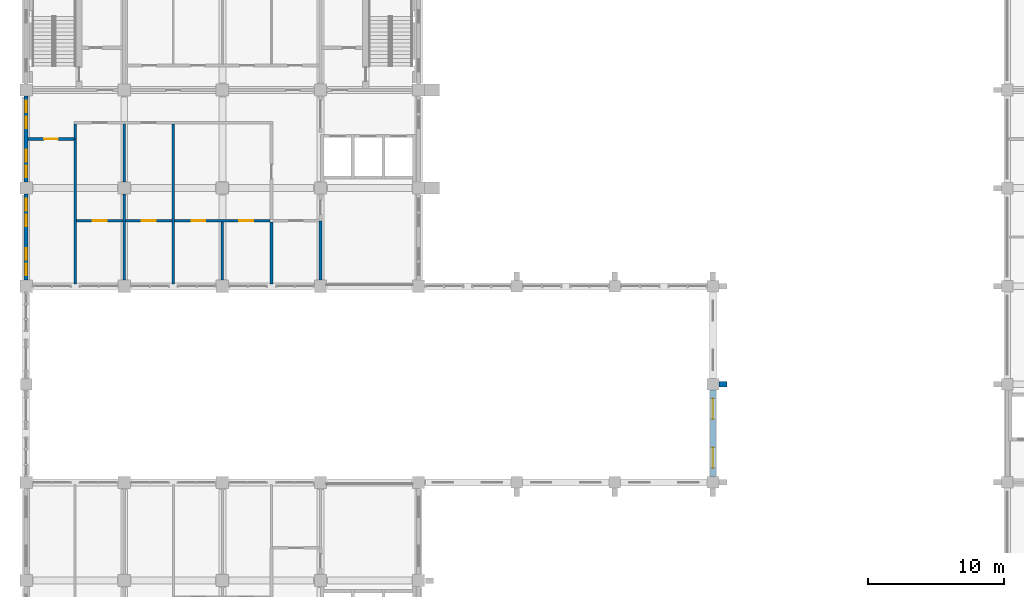
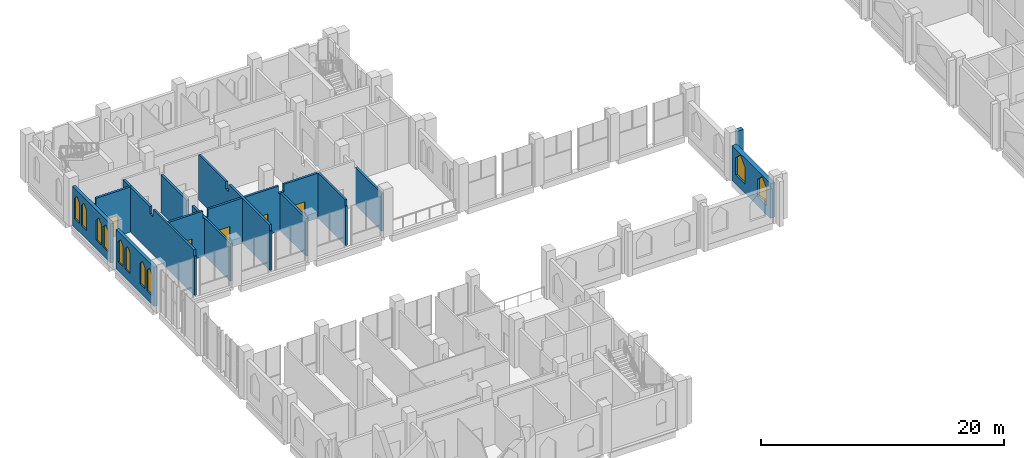
# One storey, part 30 of 40: 16 walls, 10 windows, 5 doors, 15 openings.
"""IFC4 building model written with IfcOpenShell, lengths in metres."""

import ifcopenshell
import ifcopenshell.guid

model = None  # the IFC model being written
_history = None  # IfcOwnerHistory: only IFC2X3 demands one
_inside = {}  # id of a spatial element -> (the spatial element, [elements in it])
_under = {}  # id of a project, library or spatial element -> (it, [spatial elements below it])
_declared = {}  # id of a project -> (the project, [libraries it declares])
_typed = {}  # id of a type object -> (the type object, [elements of that type])
_made_of = {}  # id of a material, layer set ... -> (it, [elements and type objects made of it])


def new_model(schema):
    """Start an empty IFC model of exactly this schema.

    Asked for "IFC4X3", IfcOpenShell would pick the latest addendum, in which some entities
    have other attributes; the version numbers below select the first issue.
    IFC2X3 requires an IfcOwnerHistory on every rooted entity: one is made here for all.
    """
    global model, _history
    if schema == "IFC4X3":
        model = ifcopenshell.file(schema_version=(4, 3, 0, 0))
    else:
        model = ifcopenshell.file(schema=schema)
    _inside.clear()
    _under.clear()
    _declared.clear()
    _typed.clear()
    _made_of.clear()
    _history = None
    if model.schema == "IFC2X3":
        org = make("IfcOrganization", Name="unknown")
        user = make(
            "IfcPersonAndOrganization",
            ThePerson=make("IfcPerson", FamilyName="unknown"),
            TheOrganization=org,
        )
        app = make(
            "IfcApplication",
            ApplicationDeveloper=org,
            Version="unknown",
            ApplicationFullName="unknown",
            ApplicationIdentifier="unknown",
        )
        _history = make(
            "IfcOwnerHistory",
            OwningUser=user,
            OwningApplication=app,
            ChangeAction="ADDED",
            CreationDate=0,
        )
    return model


def make(cls, **values):
    """One entity of the class cls with the attributes given. An attribute that is None is left unset."""
    return model.create_entity(
        cls, **{name: value for name, value in values.items() if value is not None}
    )


def rooted(cls, **values):
    """An entity with a GlobalId (a new one), such as an element, a storey or a relation."""
    return make(cls, GlobalId=ifcopenshell.guid.new(), OwnerHistory=_history, **values)


def si_unit(unit_type, name, prefix=None):
    """IfcSIUnit, for example si_unit("LENGTHUNIT", "METRE", prefix="MILLI")."""
    return make("IfcSIUnit", UnitType=unit_type, Prefix=prefix, Name=name)


def assignment(units):
    """IfcUnitAssignment: the units of a project."""
    return None if units is None else make("IfcUnitAssignment", Units=units)


def point(xyz):
    """IfcCartesianPoint."""
    return None if xyz is None else make("IfcCartesianPoint", Coordinates=xyz)


def direction(xyz):
    """IfcDirection."""
    return None if xyz is None else make("IfcDirection", DirectionRatios=xyz)


def frame(location, z_axis=None, x_axis=None):
    """IfcAxis2Placement3D, a coordinate frame: its origin and axes. An axis left out is left unset."""
    return make(
        "IfcAxis2Placement3D",
        Location=point(location),
        Axis=direction(z_axis),
        RefDirection=direction(x_axis),
    )


def frame_2d(location, x_axis=None):
    """IfcAxis2Placement2D, a coordinate frame in the plane: its origin and x axis."""
    return make(
        "IfcAxis2Placement2D", Location=point(location), RefDirection=direction(x_axis)
    )


def origin():
    """The frame at (0, 0, 0) with its axes left unset."""
    return frame((0.0, 0.0, 0.0))


def place(relative_to, where):
    """IfcLocalPlacement: puts the frame where relative to a parent placement (None: the world)."""
    return make(
        "IfcLocalPlacement", PlacementRelTo=relative_to, RelativePlacement=where
    )


def context(
    kind, dimensions, precision=None, world=None, true_north=None, identifier=None
):
    """IfcGeometricRepresentationContext, for example the 3D "Model" context."""
    return make(
        "IfcGeometricRepresentationContext",
        ContextIdentifier=identifier,
        ContextType=kind,
        CoordinateSpaceDimension=dimensions,
        Precision=precision,
        WorldCoordinateSystem=world,
        TrueNorth=true_north,
    )


def subcontext(parent, identifier, kind, view, scale=None):
    """IfcGeometricRepresentationSubContext, for example "Body" below "Model"."""
    return make(
        "IfcGeometricRepresentationSubContext",
        ContextIdentifier=identifier,
        ContextType=kind,
        ParentContext=parent,
        TargetScale=scale,
        TargetView=view,
    )


def project(units=None, contexts=None):
    """IfcProject with its units and contexts."""
    return rooted(
        "IfcProject",
        Name="project",
        RepresentationContexts=contexts,
        UnitsInContext=assignment(units),
    )


def spatial(cls, under=None, at=None, **own):
    """A site, building, storey or space (cls), placed at a placement, below another one or the project."""
    s = rooted(cls, ObjectPlacement=at, **own)
    if under is not None:
        _under.setdefault(under.id(), (under, []))[1].append(s)
    return s


def polyline(points):
    """IfcPolyline through the points."""
    return make("IfcPolyline", Points=[point(p) for p in points])


def profile(cls, at=None, kind="AREA", **sizes):
    """A parametric profile (cls). Its sizes go by their IFC names, for example OverallWidth=200.0."""
    return make(cls, ProfileType=kind, Position=at, **sizes)


def rectangle(**sizes):
    """IfcRectangleProfileDef."""
    return profile("IfcRectangleProfileDef", **sizes)


def outline(outer, holes=None, kind="AREA"):
    """IfcArbitraryClosedProfileDef: a profile drawn as a closed curve; with holes, ...WithVoids."""
    if holes is None:
        return make("IfcArbitraryClosedProfileDef", ProfileType=kind, OuterCurve=outer)
    return make(
        "IfcArbitraryProfileDefWithVoids",
        ProfileType=kind,
        OuterCurve=outer,
        InnerCurves=holes,
    )


def extrude(swept, where, along, depth):
    """IfcExtrudedAreaSolid: the profile swept, set in the frame where, extruded along a direction by depth."""
    return make(
        "IfcExtrudedAreaSolid",
        SweptArea=swept,
        Position=where,
        ExtrudedDirection=direction(along),
        Depth=depth,
    )


def shape(context_of_items, identifier, shape_type, items):
    """IfcShapeRepresentation: the items that make up one representation, for example the "Body"."""
    return make(
        "IfcShapeRepresentation",
        ContextOfItems=context_of_items,
        RepresentationIdentifier=identifier,
        RepresentationType=shape_type,
        Items=items,
    )


def material(Name=None, Category=None):
    """IfcMaterial."""
    return make("IfcMaterial", Name=Name, Category=Category)


def layer(
    of_material, thickness, ventilated=None, Name=None, Category=None, Priority=None
):
    """IfcMaterialLayer: one layer of a wall or slab, of a material (None: an air gap)."""
    return make(
        "IfcMaterialLayer",
        Material=of_material,
        LayerThickness=thickness,
        IsVentilated=ventilated,
        Name=Name,
        Category=Category,
        Priority=Priority,
    )


def layer_set(layers, Name=None):
    """IfcMaterialLayerSet."""
    return make("IfcMaterialLayerSet", MaterialLayers=layers, LayerSetName=Name)


def made_of(thing, what):
    """Note that an element or type object is made of a material, layer set ...; save() writes the relation."""
    if what is not None:
        _made_of.setdefault(what.id(), (what, []))[1].append(thing)
    return thing


def type_object(cls, material=None, **own):
    """A type object (cls), such as IfcWallType, which elements share."""
    return made_of(rooted(cls, **own), material)


def element(
    cls,
    number,
    at=None,
    inside=None,
    cuts=None,
    type_object=None,
    material=None,
    context=None,
    identifier="Body",
    shape_type=None,
    held_by="IfcProductDefinitionShape",
    body=None,
    shapes=None,
    **own,
):
    """One element of the class cls, such as IfcWall. Its Tag is "e" and its number.

    at: its placement. inside: the storey or other place that contains it. cuts: it is an
    opening in that element (IfcRelVoidsElement). A single representation is given by context,
    identifier, shape_type and body (its items); several are given by shapes. held_by: the class
    of the entity that holds the representations. save() writes the other relations.
    """
    e = rooted(cls, Tag="e%d" % number, ObjectPlacement=at, **own)
    if body is not None:
        shapes = [shape(context, identifier, shape_type, body)]
    if shapes is not None:
        e.Representation = make(held_by, Representations=shapes)
    if inside is not None:
        _inside.setdefault(inside.id(), (inside, []))[1].append(e)
    if cuts is not None:
        rooted(
            "IfcRelVoidsElement", RelatingBuildingElement=cuts, RelatedOpeningElement=e
        )
    if type_object is not None:
        _typed.setdefault(type_object.id(), (type_object, []))[1].append(e)
    return made_of(e, material)


def fill(opening, filler):
    """IfcRelFillsElement: the door or window that sits in an opening."""
    return rooted(
        "IfcRelFillsElement",
        RelatingOpeningElement=opening,
        RelatedBuildingElement=filler,
    )


def aggregate(whole, parts):
    """IfcRelAggregates: a whole, such as a stair, and the parts it consists of."""
    return rooted("IfcRelAggregates", RelatingObject=whole, RelatedObjects=parts)


def save(model, path):
    """Write the relations noted so far, then the file.

    IfcRelAggregates (storeys below a building ...), IfcRelContainedInSpatialStructure (elements
    in a storey), IfcRelDefinesByType, IfcRelAssociatesMaterial and IfcRelDeclares: one each for
    every whole, place, type object, material and project.
    """
    for whole, parts in _under.values():
        aggregate(whole, parts)
    for where, things in _inside.values():
        rooted(
            "IfcRelContainedInSpatialStructure",
            RelatedElements=things,
            RelatingStructure=where,
        )
    for kind, things in _typed.values():
        rooted("IfcRelDefinesByType", RelatedObjects=things, RelatingType=kind)
    for what, things in _made_of.values():
        rooted("IfcRelAssociatesMaterial", RelatedObjects=things, RelatingMaterial=what)
    for by, libraries in _declared.values():
        rooted("IfcRelDeclares", RelatingContext=by, RelatedDefinitions=libraries)
    model.write(path)


model = new_model("IFC4")

# Units and contexts
model_context = context("Model", 3, precision=1e-05, world=origin(), true_north=direction((0.0, 1.0)))
body_context = subcontext(model_context, "Body", "Model", "MODEL_VIEW")
ifc_project = project(units=[si_unit("LENGTHUNIT", "METRE"), si_unit("AREAUNIT", "SQUARE_METRE"), si_unit("VOLUMEUNIT", "CUBIC_METRE"), si_unit("PLANEANGLEUNIT", "RADIAN"), si_unit("MASSUNIT", "GRAM", prefix="KILO")], contexts=[model_context])

# Site, building, storey
site_placement = place(None, origin())
site = spatial("IfcSite", under=ifc_project, at=site_placement, CompositionType="ELEMENT")
building_placement = place(site_placement, origin())
building = spatial("IfcBuilding", under=site, at=building_placement, Name="Silangan Lancet Faculty of Sciences", CompositionType="ELEMENT")
storey_placement = place(building_placement, frame((0.0, 0.0, 16.800048828125)))
storey = spatial("IfcBuildingStorey", under=building, at=storey_placement, Name="L03", CompositionType="ELEMENT", Elevation=16.800048828125)

# Wall, openings, windows
ifc_material_1 = material(Name="Concrete C40/50 precast", Category="concrete")
ifc_layer_1 = layer(ifc_material_1, 0.300048828125)
ifc_layer_set_1 = layer_set([ifc_layer_1], Name="Concrete C40/50 precast")
wall_type_1 = type_object("IfcWallType", Name="EW1 Precast cladding wall", PredefinedType="STANDARD", material=ifc_layer_set_1)
wall_1_placement = place(storey_placement, frame((0.0, 36.449951171875, 0.0), z_axis=(0.0, 0.0, 1.0), x_axis=(0.0, 1.0, 0.0)))
wall_1 = element("IfcWall", 1, at=wall_1_placement, inside=storey, type_object=wall_type_1, Name="EW-L03-W-NT-00", PredefinedType="STANDARD", context=body_context, shape_type="SweptSolid", body=[
    extrude(rectangle(XDim=6.300048828125, YDim=0.300048828125, at=frame_2d((3.14990234375, 0.0))), origin(), (0.0, 0.0, 1.0), 3.949951171875),
])
opening_1_placement = place(wall_1_placement, frame((0.35009765625, 0.0, 0.89990234375)))
opening_1 = element("IfcOpeningElement", 2, at=opening_1_placement, cuts=wall_1, Name="Opening W14", PredefinedType="OPENING", context=body_context, shape_type="SweptSolid", body=[
    extrude(outline(polyline([(0.0, 0.0), (0.85009765625, 0.0), (0.85009765625, 2.050048828125), (0.425048828125, 2.5), (0.0, 2.050048828125), (0.0, 0.0)])), frame((0.0, 0.159912109375, 0.0), z_axis=(0.0, -1.0, 0.0), x_axis=(1.0, 0.0, 0.0)), (0.0, 0.0, 1.0), 0.320068359375),
])
opening_2_placement = place(wall_1_placement, frame((1.5, 0.0, 0.89990234375)))
opening_2 = element("IfcOpeningElement", 3, at=opening_2_placement, cuts=wall_1, Name="Opening W14", PredefinedType="OPENING", context=body_context, shape_type="SweptSolid", body=[
    extrude(outline(polyline([(0.0, 0.0), (0.85009765625, 0.0), (0.85009765625, 2.050048828125), (0.425048828125, 2.5), (0.0, 2.050048828125), (0.0, 0.0)])), frame((0.0, 0.159912109375, 0.0), z_axis=(0.0, -1.0, 0.0), x_axis=(1.0, 0.0, 0.0)), (0.0, 0.0, 1.0), 0.320068359375),
])
opening_3_placement = place(wall_1_placement, frame((3.949951171875, 0.0, 0.89990234375)))
opening_3 = element("IfcOpeningElement", 4, at=opening_3_placement, cuts=wall_1, Name="Opening W14", PredefinedType="OPENING", context=body_context, shape_type="SweptSolid", body=[
    extrude(outline(polyline([(0.0, 0.0), (0.85009765625, 0.0), (0.85009765625, 2.050048828125), (0.425048828125, 2.5), (0.0, 2.050048828125), (0.0, 0.0)])), frame((0.0, 0.159912109375, 0.0), z_axis=(0.0, -1.0, 0.0), x_axis=(1.0, 0.0, 0.0)), (0.0, 0.0, 1.0), 0.320068359375),
])
opening_4_placement = place(wall_1_placement, frame((5.10009765625, 0.0, 0.89990234375)))
opening_4 = element("IfcOpeningElement", 5, at=opening_4_placement, cuts=wall_1, Name="Opening W14", PredefinedType="OPENING", context=body_context, shape_type="SweptSolid", body=[
    extrude(outline(polyline([(0.0, 0.0), (0.85009765625, 0.0), (0.85009765625, 2.050048828125), (0.425048828125, 2.5), (0.0, 2.050048828125), (0.0, 0.0)])), frame((0.0, 0.159912109375, 0.0), z_axis=(0.0, -1.0, 0.0), x_axis=(1.0, 0.0, 0.0)), (0.0, 0.0, 1.0), 0.320068359375),
])
ifc_material_2 = material(Name="Aluminium frame, laminated double glazing", Category="aluminium")
window_type_1 = type_object("IfcWindowType", Name="W14 Lancet window 850 x 2500", PartitioningType="SINGLE_PANEL", PredefinedType="WINDOW", material=ifc_material_2)
window_1_placement = place(opening_1_placement, origin())
window_1 = element("IfcWindow", 6, at=window_1_placement, inside=storey, type_object=window_type_1, Name="WIN-L03-W-NT-00a1", OverallHeight=2.5, OverallWidth=0.85009765625, PartitioningType="SINGLE_PANEL", PredefinedType="WINDOW", context=body_context, shape_type="SweptSolid", body=[
    extrude(outline(polyline([(0.0, 0.0), (0.85009765625, 0.0), (0.85009765625, 2.050048828125), (0.425048828125, 2.5), (0.0, 2.050048828125), (0.0, 0.0)])), frame((0.0, 0.030029296875, 0.0), z_axis=(0.0, -1.0, 0.0), x_axis=(1.0, 0.0, 0.0)), (0.0, 0.0, 1.0), 0.06005859375),
])
fill(opening_1, window_1)
window_2_placement = place(opening_2_placement, origin())
window_2 = element("IfcWindow", 7, at=window_2_placement, inside=storey, type_object=window_type_1, Name="WIN-L03-W-NT-00a2", OverallHeight=2.5, OverallWidth=0.85009765625, PartitioningType="SINGLE_PANEL", PredefinedType="WINDOW", context=body_context, shape_type="SweptSolid", body=[
    extrude(outline(polyline([(0.0, 0.0), (0.85009765625, 0.0), (0.85009765625, 2.050048828125), (0.425048828125, 2.5), (0.0, 2.050048828125), (0.0, 0.0)])), frame((0.0, 0.030029296875, 0.0), z_axis=(0.0, -1.0, 0.0), x_axis=(1.0, 0.0, 0.0)), (0.0, 0.0, 1.0), 0.06005859375),
])
fill(opening_2, window_2)
window_3_placement = place(opening_3_placement, origin())
window_3 = element("IfcWindow", 8, at=window_3_placement, inside=storey, type_object=window_type_1, Name="WIN-L03-W-NT-00b1", OverallHeight=2.5, OverallWidth=0.85009765625, PartitioningType="SINGLE_PANEL", PredefinedType="WINDOW", context=body_context, shape_type="SweptSolid", body=[
    extrude(outline(polyline([(0.0, 0.0), (0.85009765625, 0.0), (0.85009765625, 2.050048828125), (0.425048828125, 2.5), (0.0, 2.050048828125), (0.0, 0.0)])), frame((0.0, 0.030029296875, 0.0), z_axis=(0.0, -1.0, 0.0), x_axis=(1.0, 0.0, 0.0)), (0.0, 0.0, 1.0), 0.06005859375),
])
fill(opening_3, window_3)
window_4_placement = place(opening_4_placement, origin())
window_4 = element("IfcWindow", 9, at=window_4_placement, inside=storey, type_object=window_type_1, Name="WIN-L03-W-NT-00b2", OverallHeight=2.5, OverallWidth=0.85009765625, PartitioningType="SINGLE_PANEL", PredefinedType="WINDOW", context=body_context, shape_type="SweptSolid", body=[
    extrude(outline(polyline([(0.0, 0.0), (0.85009765625, 0.0), (0.85009765625, 2.050048828125), (0.425048828125, 2.5), (0.0, 2.050048828125), (0.0, 0.0)])), frame((0.0, 0.030029296875, 0.0), z_axis=(0.0, -1.0, 0.0), x_axis=(1.0, 0.0, 0.0)), (0.0, 0.0, 1.0), 0.06005859375),
])
fill(opening_4, window_4)

wall_2_placement = place(storey_placement, frame((0.0, 43.64990234375, 0.0), z_axis=(0.0, 0.0, 1.0), x_axis=(0.0, 1.0, 0.0)))
wall_2 = element("IfcWall", 10, at=wall_2_placement, inside=storey, type_object=wall_type_1, Name="EW-L03-W-NT-01", PredefinedType="STANDARD", context=body_context, shape_type="SweptSolid", body=[
    extrude(rectangle(XDim=6.300048828125, YDim=0.300048828125, at=frame_2d((3.14990234375, 0.0))), origin(), (0.0, 0.0, 1.0), 3.949951171875),
])
opening_5_placement = place(wall_2_placement, frame((0.35009765625, 0.0, 0.89990234375)))
opening_5 = element("IfcOpeningElement", 11, at=opening_5_placement, cuts=wall_2, Name="Opening W14", PredefinedType="OPENING", context=body_context, shape_type="SweptSolid", body=[
    extrude(outline(polyline([(0.0, 0.0), (0.85009765625, 0.0), (0.85009765625, 2.050048828125), (0.425048828125, 2.5), (0.0, 2.050048828125), (0.0, 0.0)])), frame((0.0, 0.159912109375, 0.0), z_axis=(0.0, -1.0, 0.0), x_axis=(1.0, 0.0, 0.0)), (0.0, 0.0, 1.0), 0.320068359375),
])
opening_6_placement = place(wall_2_placement, frame((1.5, 0.0, 0.89990234375)))
opening_6 = element("IfcOpeningElement", 12, at=opening_6_placement, cuts=wall_2, Name="Opening W14", PredefinedType="OPENING", context=body_context, shape_type="SweptSolid", body=[
    extrude(outline(polyline([(0.0, 0.0), (0.85009765625, 0.0), (0.85009765625, 2.050048828125), (0.425048828125, 2.5), (0.0, 2.050048828125), (0.0, 0.0)])), frame((0.0, 0.159912109375, 0.0), z_axis=(0.0, -1.0, 0.0), x_axis=(1.0, 0.0, 0.0)), (0.0, 0.0, 1.0), 0.320068359375),
])
opening_7_placement = place(wall_2_placement, frame((3.949951171875, 0.0, 0.89990234375)))
opening_7 = element("IfcOpeningElement", 13, at=opening_7_placement, cuts=wall_2, Name="Opening W14", PredefinedType="OPENING", context=body_context, shape_type="SweptSolid", body=[
    extrude(outline(polyline([(0.0, 0.0), (0.85009765625, 0.0), (0.85009765625, 2.050048828125), (0.425048828125, 2.5), (0.0, 2.050048828125), (0.0, 0.0)])), frame((0.0, 0.159912109375, 0.0), z_axis=(0.0, -1.0, 0.0), x_axis=(1.0, 0.0, 0.0)), (0.0, 0.0, 1.0), 0.320068359375),
])
opening_8_placement = place(wall_2_placement, frame((5.10009765625, 0.0, 0.89990234375)))
opening_8 = element("IfcOpeningElement", 14, at=opening_8_placement, cuts=wall_2, Name="Opening W14", PredefinedType="OPENING", context=body_context, shape_type="SweptSolid", body=[
    extrude(outline(polyline([(0.0, 0.0), (0.85009765625, 0.0), (0.85009765625, 2.050048828125), (0.425048828125, 2.5), (0.0, 2.050048828125), (0.0, 0.0)])), frame((0.0, 0.159912109375, 0.0), z_axis=(0.0, -1.0, 0.0), x_axis=(1.0, 0.0, 0.0)), (0.0, 0.0, 1.0), 0.320068359375),
])
window_5_placement = place(opening_5_placement, origin())
window_5 = element("IfcWindow", 15, at=window_5_placement, inside=storey, type_object=window_type_1, Name="WIN-L03-W-NT-01a1", OverallHeight=2.5, OverallWidth=0.85009765625, PartitioningType="SINGLE_PANEL", PredefinedType="WINDOW", context=body_context, shape_type="SweptSolid", body=[
    extrude(outline(polyline([(0.0, 0.0), (0.85009765625, 0.0), (0.85009765625, 2.050048828125), (0.425048828125, 2.5), (0.0, 2.050048828125), (0.0, 0.0)])), frame((0.0, 0.030029296875, 0.0), z_axis=(0.0, -1.0, 0.0), x_axis=(1.0, 0.0, 0.0)), (0.0, 0.0, 1.0), 0.06005859375),
])
fill(opening_5, window_5)
window_6_placement = place(opening_6_placement, origin())
window_6 = element("IfcWindow", 16, at=window_6_placement, inside=storey, type_object=window_type_1, Name="WIN-L03-W-NT-01a2", OverallHeight=2.5, OverallWidth=0.85009765625, PartitioningType="SINGLE_PANEL", PredefinedType="WINDOW", context=body_context, shape_type="SweptSolid", body=[
    extrude(outline(polyline([(0.0, 0.0), (0.85009765625, 0.0), (0.85009765625, 2.050048828125), (0.425048828125, 2.5), (0.0, 2.050048828125), (0.0, 0.0)])), frame((0.0, 0.030029296875, 0.0), z_axis=(0.0, -1.0, 0.0), x_axis=(1.0, 0.0, 0.0)), (0.0, 0.0, 1.0), 0.06005859375),
])
fill(opening_6, window_6)
window_7_placement = place(opening_7_placement, origin())
window_7 = element("IfcWindow", 17, at=window_7_placement, inside=storey, type_object=window_type_1, Name="WIN-L03-W-NT-01b1", OverallHeight=2.5, OverallWidth=0.85009765625, PartitioningType="SINGLE_PANEL", PredefinedType="WINDOW", context=body_context, shape_type="SweptSolid", body=[
    extrude(outline(polyline([(0.0, 0.0), (0.85009765625, 0.0), (0.85009765625, 2.050048828125), (0.425048828125, 2.5), (0.0, 2.050048828125), (0.0, 0.0)])), frame((0.0, 0.030029296875, 0.0), z_axis=(0.0, -1.0, 0.0), x_axis=(1.0, 0.0, 0.0)), (0.0, 0.0, 1.0), 0.06005859375),
])
fill(opening_7, window_7)
window_8_placement = place(opening_8_placement, origin())
window_8 = element("IfcWindow", 18, at=window_8_placement, inside=storey, type_object=window_type_1, Name="WIN-L03-W-NT-01b2", OverallHeight=2.5, OverallWidth=0.85009765625, PartitioningType="SINGLE_PANEL", PredefinedType="WINDOW", context=body_context, shape_type="SweptSolid", body=[
    extrude(outline(polyline([(0.0, 0.0), (0.85009765625, 0.0), (0.85009765625, 2.050048828125), (0.425048828125, 2.5), (0.0, 2.050048828125), (0.0, 0.0)])), frame((0.0, 0.030029296875, 0.0), z_axis=(0.0, -1.0, 0.0), x_axis=(1.0, 0.0, 0.0)), (0.0, 0.0, 1.0), 0.06005859375),
])
fill(opening_8, window_8)

ifc_material_3 = material(Name="Concrete C40/50", Category="concrete")
ifc_layer_2 = layer(ifc_material_3, 0.449951171875)
ifc_layer_set_2 = layer_set([ifc_layer_2], Name="Concrete C40/50")
wall_type_2 = type_object("IfcWallType", Name="EW8 Clerestory wall with deep reveals", PredefinedType="STANDARD", material=ifc_layer_set_2)
wall_3_placement = place(storey_placement, frame((50.39990234375, 22.02490234375, 0.0), z_axis=(0.0, 0.0, 1.0), x_axis=(0.0, 1.0, 0.0)))
wall_3 = element("IfcWall", 19, at=wall_3_placement, inside=storey, type_object=wall_type_2, Name="EW-L03-E-NAVE-00", PredefinedType="STANDARD", context=body_context, shape_type="SweptSolid", body=[
    extrude(rectangle(XDim=6.35009765625, YDim=0.449951171875, at=frame_2d((3.175048828125, 0.0))), origin(), (0.0, 0.0, 1.0), 3.5),
])
opening_9_placement = place(wall_3_placement, frame((0.625, 0.0, 0.89990234375)))
opening_9 = element("IfcOpeningElement", 20, at=opening_9_placement, cuts=wall_3, Name="Opening W12", PredefinedType="OPENING", context=body_context, shape_type="SweptSolid", body=[
    extrude(outline(polyline([(0.0, 0.0), (1.5, 0.0), (1.5, 1.75), (0.75, 2.5), (0.0, 1.75), (0.0, 0.0)])), frame((0.0, 0.23486328125, 0.0), z_axis=(0.0, -1.0, 0.0), x_axis=(1.0, 0.0, 0.0)), (0.0, 0.0, 1.0), 0.469970703125),
])
opening_10_placement = place(wall_3_placement, frame((4.22509765625, 0.0, 0.89990234375)))
opening_10 = element("IfcOpeningElement", 21, at=opening_10_placement, cuts=wall_3, Name="Opening W13", PredefinedType="OPENING", context=body_context, shape_type="SweptSolid", body=[
    extrude(outline(polyline([(0.0, 0.0), (1.5, 0.0), (1.5, 1.75), (0.75, 2.5), (0.0, 1.75), (0.0, 0.0)])), frame((0.0, 0.23486328125, 0.0), z_axis=(0.0, -1.0, 0.0), x_axis=(1.0, 0.0, 0.0)), (0.0, 0.0, 1.0), 0.469970703125),
])
ifc_material_4 = material(Name="Aluminium frame, laminated double glazing", Category="aluminium")
window_type_2 = type_object("IfcWindowType", Name="W12 Lancet window 1500 x 2500", PartitioningType="SINGLE_PANEL", PredefinedType="WINDOW", material=ifc_material_4)
window_9_placement = place(opening_9_placement, origin())
window_9 = element("IfcWindow", 22, at=window_9_placement, inside=storey, type_object=window_type_2, Name="WIN-L03-E-NAVE-00a", OverallHeight=2.5, OverallWidth=1.5, PartitioningType="SINGLE_PANEL", PredefinedType="WINDOW", context=body_context, shape_type="SweptSolid", body=[
    extrude(outline(polyline([(0.0, 0.0), (1.5, 0.0), (1.5, 1.75), (0.75, 2.5), (0.0, 1.75), (0.0, 0.0)])), frame((0.0, 0.030029296875, 0.0), z_axis=(0.0, -1.0, 0.0), x_axis=(1.0, 0.0, 0.0)), (0.0, 0.0, 1.0), 0.06005859375),
])
fill(opening_9, window_9)
ifc_material_5 = material(Name="Aluminium storm louvre blades", Category="aluminium")
window_type_3 = type_object("IfcWindowType", Name="W13 Storm louvre lancet 1500 x 2500", PartitioningType="SINGLE_PANEL", PredefinedType="WINDOW", material=ifc_material_5)
window_10_placement = place(opening_10_placement, origin())
window_10 = element("IfcWindow", 23, at=window_10_placement, inside=storey, type_object=window_type_3, Name="WIN-L03-E-NAVE-00b", OverallHeight=2.5, OverallWidth=1.5, PartitioningType="SINGLE_PANEL", PredefinedType="WINDOW", context=body_context, shape_type="SweptSolid", body=[
    extrude(outline(polyline([(0.0, 0.0), (1.5, 0.0), (1.5, 1.75), (0.75, 2.5), (0.0, 1.75), (0.0, 0.0)])), frame((0.0, 0.030029296875, 0.0), z_axis=(0.0, -1.0, 0.0), x_axis=(1.0, 0.0, 0.0)), (0.0, 0.0, 1.0), 0.06005859375),
])
fill(opening_10, window_10)

# Wall
ifc_material_6 = material(Name="Concrete C40/50 precast", Category="concrete")
ifc_layer_3 = layer(ifc_material_6, 0.39990234375)
ifc_layer_set_3 = layer_set([ifc_layer_3], Name="Concrete C40/50 precast")
wall_type_3 = type_object("IfcWallType", Name="FN53 Buttress Fin column line stage 1 4550", PredefinedType="POLYGONAL", material=ifc_layer_set_3)
wall_4_placement = place(storey_placement, frame((50.824951171875, 28.800048828125, 0.0), z_axis=(0.0, 0.0, 1.0), x_axis=(1.0, 0.0, 0.0)))
element("IfcWall", 24, at=wall_4_placement, inside=storey, type_object=wall_type_3, Name="FINC-E-NAVE-02", PredefinedType="POLYGONAL", context=body_context, shape_type="SweptSolid", body=[
    extrude(outline(polyline([(0.60009765625, 0.0), (0.60009765625, 4.550048828125), (0.0, 4.550048828125), (0.0, 0.0), (0.60009765625, 0.0)])), frame((0.0, 0.199951171875, 0.0), z_axis=(0.0, -1.0, 0.0), x_axis=(1.0, 0.0, 0.0)), (0.0, 0.0, 1.0), 0.39990234375),
])

# Wall, opening, door
ifc_material_7 = material(Name="Hollow block masonry fm 7 MPa", Category="masonry")
ifc_layer_4 = layer(ifc_material_7, 0.199951171875)
ifc_layer_set_4 = layer_set([ifc_layer_4], Name="Hollow block masonry fm 7 MPa")
wall_type_4 = type_object("IfcWallType", Name="Interior wall PW1 Corridor wall CHB 200", PredefinedType="PARTITIONING", material=ifc_layer_set_4)
wall_5_placement = place(storey_placement, frame((0.14990234375, 46.800048828125, 0.0), z_axis=(0.0, 0.0, 1.0), x_axis=(1.0, 0.0, 0.0)))
wall_5 = element("IfcWall", 25, at=wall_5_placement, inside=storey, type_object=wall_type_4, Name="Corridor wall CHB 200", PredefinedType="PARTITIONING", context=body_context, shape_type="SweptSolid", body=[
    extrude(outline(polyline([(0.0, 0.0), (3.35009765625, 0.0), (3.35009765625, 4.550048828125), (0.10009765625, 4.550048828125), (0.10009765625, 3.949951171875), (0.0, 3.949951171875), (0.0, 0.0)])), frame((0.0, 0.10009765625, 0.0), z_axis=(0.0, -1.0, 0.0), x_axis=(1.0, 0.0, 0.0)), (0.0, 0.0, 1.0), 0.199951171875),
])
opening_11_placement = place(wall_5_placement, frame((1.175048828125, 0.0, 0.0)))
opening_11 = element("IfcOpeningElement", 26, at=opening_11_placement, cuts=wall_5, Name="Opening L03-027", PredefinedType="OPENING", context=body_context, shape_type="SweptSolid", body=[
    extrude(rectangle(XDim=1.0, YDim=2.10009765625, at=frame_2d((0.5, 1.050048828125))), frame((0.0, 0.10986328125, 0.0), z_axis=(0.0, -1.0, 0.0), x_axis=(1.0, 0.0, 0.0)), (0.0, 0.0, 1.0), 0.219970703125),
])
ifc_material_8 = material(Name="Steel fire door set", Category="steel")
door_type = type_object("IfcDoorType", Name="Door D1 Single leaf fire door 1000 x 2100", OperationType="SINGLE_SWING_LEFT", PredefinedType="DOOR", material=ifc_material_8)
door_1_placement = place(opening_11_placement, frame((1.0, 0.0, 0.0), z_axis=(0.0, 0.0, 1.0), x_axis=(-1.0, 0.0, 0.0)))
door_1 = element("IfcDoor", 27, at=door_1_placement, inside=storey, type_object=door_type, Name="Single leaf fire door 1000 x 2100", OperationType="SINGLE_SWING_LEFT", OverallHeight=2.10009765625, OverallWidth=1.0, PredefinedType="DOOR", context=body_context, shape_type="SweptSolid", body=[
    extrude(rectangle(XDim=1.0, YDim=2.10009765625, at=frame_2d((0.5, 1.050048828125))), frame((0.0, 0.025146484375, 0.0), z_axis=(0.0, -1.0, 0.0), x_axis=(1.0, 0.0, 0.0)), (0.0, 0.0, 1.0), 0.050048828125),
])
fill(opening_11, door_1)

# Wall
wall_6_placement = place(storey_placement, frame((3.60009765625, 46.800048828125, 0.0), z_axis=(0.0, 0.0, 1.0), x_axis=(0.0, 1.0, 0.0)))
element("IfcWall", 28, at=wall_6_placement, inside=storey, type_object=wall_type_4, Name="Corridor wall CHB 200", PredefinedType="PARTITIONING", context=body_context, shape_type="SweptSolid", body=[
    extrude(rectangle(XDim=1.099853515625, YDim=0.199951171875, at=frame_2d((0.5498046875, 0.0))), origin(), (0.0, 0.0, 1.0), 4.550048828125),
])

# Wall, opening, door
ifc_material_9 = material(Name="Hollow block masonry fm 7 MPa", Category="masonry")
ifc_layer_5 = layer(ifc_material_9, 0.199951171875)
ifc_layer_set_5 = layer_set([ifc_layer_5], Name="Hollow block masonry fm 7 MPa")
wall_type_5 = type_object("IfcWallType", Name="Interior wall PW4 Laboratory separation CHB 200", PredefinedType="PARTITIONING", material=ifc_layer_set_5)
wall_7_placement = place(storey_placement, frame((3.699951171875, 40.800048828125, 0.0), z_axis=(0.0, 0.0, 1.0), x_axis=(1.0, 0.0, 0.0)))
wall_7 = element("IfcWall", 29, at=wall_7_placement, inside=storey, type_object=wall_type_5, Name="Laboratory separation CHB 200", PredefinedType="PARTITIONING", context=body_context, shape_type="SweptSolid", body=[
    extrude(outline(polyline([(0.0, 0.0), (3.400146484375, 0.0), (3.400146484375, 3.800048828125), (3.25, 3.800048828125), (3.25, 4.550048828125), (0.0, 4.550048828125), (0.0, 0.0)])), frame((0.0, 0.10009765625, 0.0), z_axis=(0.0, -1.0, 0.0), x_axis=(1.0, 0.0, 0.0)), (0.0, 0.0, 1.0), 0.199951171875),
])
opening_12_placement = place(wall_7_placement, frame((1.199951171875, 0.0, 0.0)))
opening_12 = element("IfcOpeningElement", 30, at=opening_12_placement, cuts=wall_7, Name="Opening L03-029", PredefinedType="OPENING", context=body_context, shape_type="SweptSolid", body=[
    extrude(rectangle(XDim=1.0, YDim=2.10009765625, at=frame_2d((0.5, 1.050048828125))), frame((0.0, 0.10986328125, 0.0), z_axis=(0.0, -1.0, 0.0), x_axis=(1.0, 0.0, 0.0)), (0.0, 0.0, 1.0), 0.219970703125),
])
door_2_placement = place(opening_12_placement, frame((1.0, 0.0, 0.0), z_axis=(0.0, 0.0, 1.0), x_axis=(-1.0, 0.0, 0.0)))
door_2 = element("IfcDoor", 31, at=door_2_placement, inside=storey, type_object=door_type, Name="Single leaf fire door 1000 x 2100", OperationType="SINGLE_SWING_LEFT", OverallHeight=2.10009765625, OverallWidth=1.0, PredefinedType="DOOR", context=body_context, shape_type="SweptSolid", body=[
    extrude(rectangle(XDim=1.0, YDim=2.10009765625, at=frame_2d((0.5, 1.050048828125))), frame((0.0, 0.025146484375, 0.0), z_axis=(0.0, -1.0, 0.0), x_axis=(1.0, 0.0, 0.0)), (0.0, 0.0, 1.0), 0.050048828125),
])
fill(opening_12, door_2)

wall_8_placement = place(storey_placement, frame((7.300048828125, 40.800048828125, 0.0), z_axis=(0.0, 0.0, 1.0), x_axis=(1.0, 0.0, 0.0)))
wall_8 = element("IfcWall", 32, at=wall_8_placement, inside=storey, type_object=wall_type_5, Name="Laboratory separation CHB 200", PredefinedType="PARTITIONING", context=body_context, shape_type="SweptSolid", body=[
    extrude(outline(polyline([(0.0, 0.0), (3.39990234375, 0.0), (3.39990234375, 4.550048828125), (0.14990234375, 4.550048828125), (0.14990234375, 3.800048828125), (0.0, 3.800048828125), (0.0, 0.0)])), frame((0.0, 0.10009765625, 0.0), z_axis=(0.0, -1.0, 0.0), x_axis=(1.0, 0.0, 0.0)), (0.0, 0.0, 1.0), 0.199951171875),
])
opening_13_placement = place(wall_8_placement, frame((1.199951171875, 0.0, 0.0)))
opening_13 = element("IfcOpeningElement", 33, at=opening_13_placement, cuts=wall_8, Name="Opening L03-031", PredefinedType="OPENING", context=body_context, shape_type="SweptSolid", body=[
    extrude(rectangle(XDim=1.0, YDim=2.10009765625, at=frame_2d((0.5, 1.050048828125))), frame((0.0, 0.10986328125, 0.0), z_axis=(0.0, -1.0, 0.0), x_axis=(1.0, 0.0, 0.0)), (0.0, 0.0, 1.0), 0.219970703125),
])
door_3_placement = place(opening_13_placement, frame((1.0, 0.0, 0.0), z_axis=(0.0, 0.0, 1.0), x_axis=(-1.0, 0.0, 0.0)))
door_3 = element("IfcDoor", 34, at=door_3_placement, inside=storey, type_object=door_type, Name="Single leaf fire door 1000 x 2100", OperationType="SINGLE_SWING_LEFT", OverallHeight=2.10009765625, OverallWidth=1.0, PredefinedType="DOOR", context=body_context, shape_type="SweptSolid", body=[
    extrude(rectangle(XDim=1.0, YDim=2.10009765625, at=frame_2d((0.5, 1.050048828125))), frame((0.0, 0.025146484375, 0.0), z_axis=(0.0, -1.0, 0.0), x_axis=(1.0, 0.0, 0.0)), (0.0, 0.0, 1.0), 0.050048828125),
])
fill(opening_13, door_3)

# Wall, openings, doors
wall_9_placement = place(storey_placement, frame((10.89990234375, 40.800048828125, 0.0), z_axis=(0.0, 0.0, 1.0), x_axis=(1.0, 0.0, 0.0)))
wall_9 = element("IfcWall", 35, at=wall_9_placement, inside=storey, type_object=wall_type_5, Name="Laboratory separation CHB 200", PredefinedType="PARTITIONING", context=body_context, shape_type="SweptSolid", body=[
    extrude(outline(polyline([(0.0, 0.0), (7.0, 0.0), (7.0, 4.550048828125), (3.75, 4.550048828125), (3.75, 3.800048828125), (3.25, 3.800048828125), (3.25, 4.550048828125), (0.0, 4.550048828125), (0.0, 0.0)])), frame((0.0, 0.10009765625, 0.0), z_axis=(0.0, -1.0, 0.0), x_axis=(1.0, 0.0, 0.0)), (0.0, 0.0, 1.0), 0.199951171875),
])
opening_14_placement = place(wall_9_placement, frame((1.25, 0.0, 0.0)))
opening_14 = element("IfcOpeningElement", 36, at=opening_14_placement, cuts=wall_9, Name="Opening L03-033", PredefinedType="OPENING", context=body_context, shape_type="SweptSolid", body=[
    extrude(rectangle(XDim=1.0, YDim=2.10009765625, at=frame_2d((0.5, 1.050048828125))), frame((0.0, 0.10986328125, 0.0), z_axis=(0.0, -1.0, 0.0), x_axis=(1.0, 0.0, 0.0)), (0.0, 0.0, 1.0), 0.219970703125),
])
opening_15_placement = place(wall_9_placement, frame((4.75, 0.0, 0.0)))
opening_15 = element("IfcOpeningElement", 37, at=opening_15_placement, cuts=wall_9, Name="Opening L03-034", PredefinedType="OPENING", context=body_context, shape_type="SweptSolid", body=[
    extrude(rectangle(XDim=1.0, YDim=2.10009765625, at=frame_2d((0.5, 1.050048828125))), frame((0.0, 0.10986328125, 0.0), z_axis=(0.0, -1.0, 0.0), x_axis=(1.0, 0.0, 0.0)), (0.0, 0.0, 1.0), 0.219970703125),
])
door_4_placement = place(opening_14_placement, frame((1.0, 0.0, 0.0), z_axis=(0.0, 0.0, 1.0), x_axis=(-1.0, 0.0, 0.0)))
door_4 = element("IfcDoor", 38, at=door_4_placement, inside=storey, type_object=door_type, Name="Single leaf fire door 1000 x 2100", OperationType="SINGLE_SWING_LEFT", OverallHeight=2.10009765625, OverallWidth=1.0, PredefinedType="DOOR", context=body_context, shape_type="SweptSolid", body=[
    extrude(rectangle(XDim=1.0, YDim=2.10009765625, at=frame_2d((0.5, 1.050048828125))), frame((0.0, 0.025146484375, 0.0), z_axis=(0.0, -1.0, 0.0), x_axis=(1.0, 0.0, 0.0)), (0.0, 0.0, 1.0), 0.050048828125),
])
fill(opening_14, door_4)
door_5_placement = place(opening_15_placement, frame((1.0, 0.0, 0.0), z_axis=(0.0, 0.0, 1.0), x_axis=(-1.0, 0.0, 0.0)))
door_5 = element("IfcDoor", 39, at=door_5_placement, inside=storey, type_object=door_type, Name="Single leaf fire door 1000 x 2100", OperationType="SINGLE_SWING_RIGHT", OverallHeight=2.10009765625, OverallWidth=1.0, PredefinedType="DOOR", context=body_context, shape_type="SweptSolid", body=[
    extrude(rectangle(XDim=1.0, YDim=2.10009765625, at=frame_2d((0.5, 1.050048828125))), frame((0.0, 0.025146484375, 0.0), z_axis=(0.0, -1.0, 0.0), x_axis=(1.0, 0.0, 0.0)), (0.0, 0.0, 1.0), 0.050048828125),
])
fill(opening_15, door_5)

# Walls
wall_10_placement = place(storey_placement, frame((3.60009765625, 36.14990234375, 0.0), z_axis=(0.0, 0.0, 1.0), x_axis=(0.0, 1.0, 0.0)))
element("IfcWall", 40, at=wall_10_placement, inside=storey, type_object=wall_type_5, Name="Laboratory separation CHB 200", PredefinedType="PARTITIONING", context=body_context, shape_type="SweptSolid", body=[
    extrude(outline(polyline([(0.0, 0.0), (10.650146484375, 0.0), (10.650146484375, 4.550048828125), (7.300048828125, 4.550048828125), (7.300048828125, 3.800048828125), (6.800048828125, 3.800048828125), (6.800048828125, 4.550048828125), (0.10009765625, 4.550048828125), (0.10009765625, 3.949951171875), (0.0, 3.949951171875), (0.0, 0.0)])), frame((0.0, 0.10009765625, 0.0), z_axis=(0.0, -1.0, 0.0), x_axis=(1.0, 0.0, 0.0)), (0.0, 0.0, 1.0), 0.199951171875),
])
wall_11_placement = place(storey_placement, frame((7.199951171875, 36.449951171875, 0.0), z_axis=(0.0, 0.0, 1.0), x_axis=(0.0, 1.0, 0.0)))
element("IfcWall", 41, at=wall_11_placement, inside=storey, type_object=wall_type_5, Name="Laboratory separation CHB 200", PredefinedType="PARTITIONING", context=body_context, shape_type="SweptSolid", body=[
    extrude(rectangle(XDim=6.300048828125, YDim=0.199951171875, at=frame_2d((3.14990234375, 0.0))), origin(), (0.0, 0.0, 1.0), 3.800048828125),
])
wall_12_placement = place(storey_placement, frame((7.199951171875, 43.64990234375, 0.0), z_axis=(0.0, 0.0, 1.0), x_axis=(0.0, 1.0, 0.0)))
element("IfcWall", 42, at=wall_12_placement, inside=storey, type_object=wall_type_5, Name="Laboratory separation CHB 200", PredefinedType="PARTITIONING", context=body_context, shape_type="SweptSolid", body=[
    extrude(rectangle(XDim=4.25, YDim=0.199951171875, at=frame_2d((2.125, 0.0))), origin(), (0.0, 0.0, 1.0), 3.800048828125),
])
wall_13_placement = place(storey_placement, frame((10.800048828125, 36.14990234375, 0.0), z_axis=(0.0, 0.0, 1.0), x_axis=(0.0, 1.0, 0.0)))
element("IfcWall", 43, at=wall_13_placement, inside=storey, type_object=wall_type_5, Name="Laboratory separation CHB 200", PredefinedType="PARTITIONING", context=body_context, shape_type="SweptSolid", body=[
    extrude(outline(polyline([(0.0, 0.0), (11.75, 0.0), (11.75, 4.550048828125), (7.300048828125, 4.550048828125), (7.300048828125, 3.800048828125), (6.800048828125, 3.800048828125), (6.800048828125, 4.550048828125), (0.10009765625, 4.550048828125), (0.10009765625, 3.949951171875), (0.0, 3.949951171875), (0.0, 0.0)])), frame((0.0, 0.10009765625, 0.0), z_axis=(0.0, -1.0, 0.0), x_axis=(1.0, 0.0, 0.0)), (0.0, 0.0, 1.0), 0.199951171875),
])
wall_14_placement = place(storey_placement, frame((14.39990234375, 36.449951171875, 0.0), z_axis=(0.0, 0.0, 1.0), x_axis=(0.0, 1.0, 0.0)))
element("IfcWall", 44, at=wall_14_placement, inside=storey, type_object=wall_type_5, Name="Laboratory separation CHB 200", PredefinedType="PARTITIONING", context=body_context, shape_type="SweptSolid", body=[
    extrude(rectangle(XDim=4.25, YDim=0.199951171875, at=frame_2d((2.125, 0.0))), origin(), (0.0, 0.0, 1.0), 3.800048828125),
])
wall_15_placement = place(storey_placement, frame((18.0, 36.14990234375, 0.0), z_axis=(0.0, 0.0, 1.0), x_axis=(0.0, 1.0, 0.0)))
element("IfcWall", 45, at=wall_15_placement, inside=storey, type_object=wall_type_5, Name="Laboratory separation CHB 200", PredefinedType="PARTITIONING", context=body_context, shape_type="SweptSolid", body=[
    extrude(outline(polyline([(0.0, 0.0), (4.550048828125, 0.0), (4.550048828125, 4.550048828125), (0.10009765625, 4.550048828125), (0.10009765625, 3.949951171875), (0.0, 3.949951171875), (0.0, 0.0)])), frame((0.0, 0.10009765625, 0.0), z_axis=(0.0, -1.0, 0.0), x_axis=(1.0, 0.0, 0.0)), (0.0, 0.0, 1.0), 0.199951171875),
])
wall_16_placement = place(storey_placement, frame((21.60009765625, 36.449951171875, 0.0), z_axis=(0.0, 0.0, 1.0), x_axis=(0.0, 1.0, 0.0)))
element("IfcWall", 46, at=wall_16_placement, inside=storey, type_object=wall_type_5, Name="Laboratory separation CHB 200", PredefinedType="PARTITIONING", context=body_context, shape_type="SweptSolid", body=[
    extrude(rectangle(XDim=4.35009765625, YDim=0.199951171875, at=frame_2d((2.175048828125, 0.0))), origin(), (0.0, 0.0, 1.0), 3.800048828125),
])

save(model, "model.ifc")
